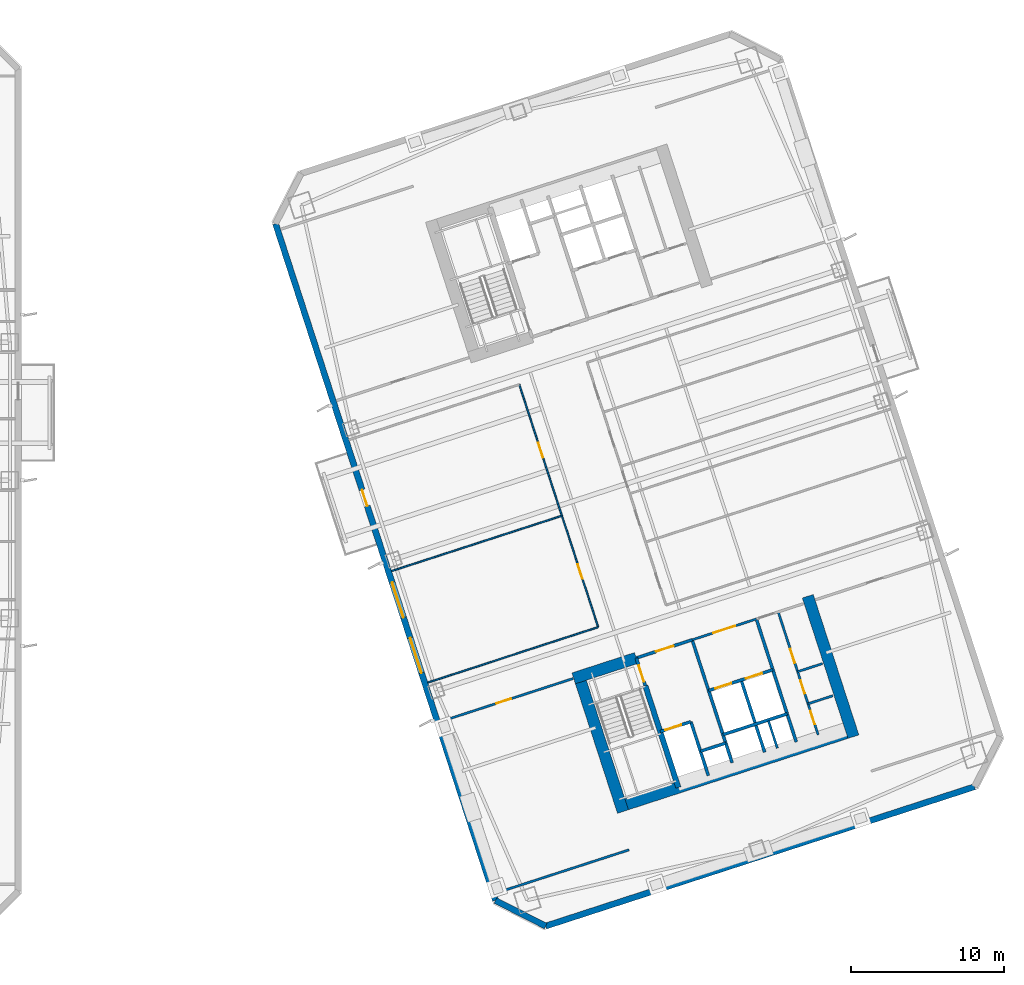
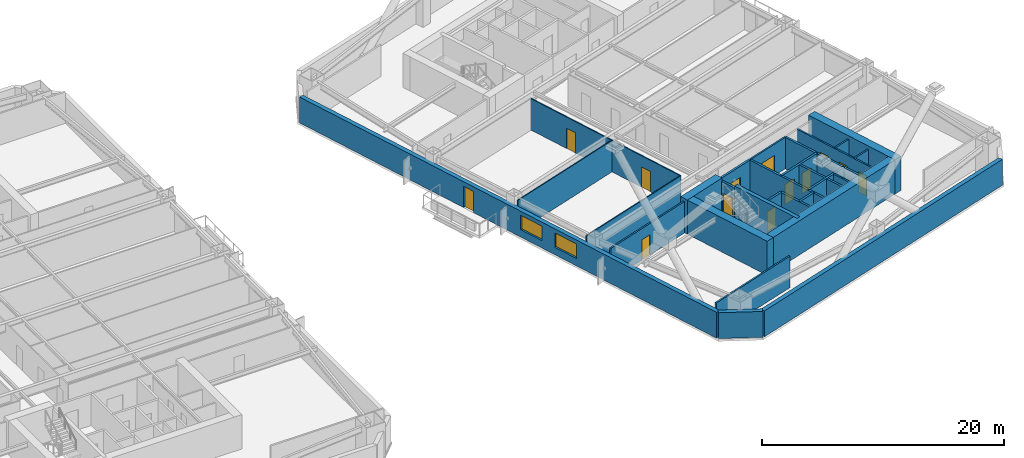
# One storey, part 9 of 19: 28 walls, 13 doors, 2 windows, 15 openings.
"""IFC4 building model written with IfcOpenShell, lengths in metres."""

from ifc_helpers import new_model, si_unit, direction, frame, frame_2d, origin, place, context, subcontext, project, spatial, rectangle, extrude, material, layer, layer_set, type_object, element, fill, save


model = new_model("IFC4")

# Units and contexts
model_context = context("Model", 3, precision=1e-05, world=origin(), true_north=direction((0.0, 1.0)))
body_context = subcontext(model_context, "Body", "Model", "MODEL_VIEW")
ifc_project = project(units=[si_unit("LENGTHUNIT", "METRE"), si_unit("AREAUNIT", "SQUARE_METRE"), si_unit("VOLUMEUNIT", "CUBIC_METRE"), si_unit("PLANEANGLEUNIT", "RADIAN"), si_unit("MASSUNIT", "GRAM", prefix="KILO")], contexts=[model_context])

# Site, building, storey
site_placement = place(None, origin())
site = spatial("IfcSite", under=ifc_project, at=site_placement, CompositionType="ELEMENT")
building_placement = place(site_placement, origin())
building = spatial("IfcBuilding", under=site, at=building_placement, Name="Qiaolan Cultural Towers", CompositionType="ELEMENT")
storey_placement = place(building_placement, frame((0.0, 0.0, 78.199951171875)))
storey = spatial("IfcBuildingStorey", under=building, at=storey_placement, Name="L19", CompositionType="ELEMENT", Elevation=78.199951171875)

# Walls
ifc_material_1 = material(Name="Concrete C50", Category="concrete")
ifc_layer_1 = layer(ifc_material_1, 0.35009765625)
ifc_layer_set_1 = layer_set([ifc_layer_1], Name="Concrete C50")
wall_type_1 = type_object("IfcWallType", Name="WL-CORE-350", PredefinedType="SHEAR", material=ifc_layer_set_1)
wall_1_placement = place(storey_placement, frame((90.486328125, 20.59423828125, 0.0), z_axis=(0.0, 0.0, 1.0), x_axis=(0.309020428229, -0.951055400562, 0.0)))
element("IfcWall", 1, at=wall_1_placement, inside=storey, type_object=wall_type_1, Name="L19 T2-CS Stair Core Dividing Web", PredefinedType="SHEAR", context=body_context, shape_type="SweptSolid", body=[
    extrude(rectangle(XDim=6.97998046875, YDim=0.35009765625, at=frame_2d((3.489990234375, 0.0))), origin(), (0.0, 0.0, 1.0), 3.449951171875),
])
ifc_material_2 = material(Name="Concrete C60", Category="concrete")
ifc_layer_2 = layer(ifc_material_2, 0.75)
ifc_layer_set_2 = layer_set([ifc_layer_2], Name="Concrete C60")
wall_type_2 = type_object("IfcWallType", Name="WL-CORE-750", PredefinedType="SHEAR", material=ifc_layer_set_2)
wall_2_placement = place(storey_placement, frame((88.55859375, 12.628662109375, 0.0), z_axis=(0.0, 0.0, 1.0), x_axis=(0.951056072937, 0.309018358888, 0.0)))
element("IfcWall", 2, at=wall_2_placement, inside=storey, type_object=wall_type_2, Name="L19 T2-CS Outer Core Shear Wall", PredefinedType="SHEAR", context=body_context, shape_type="SweptSolid", body=[
    extrude(rectangle(XDim=16.550048828125, YDim=0.75, at=frame_2d((8.27490234375, 0.0))), origin(), (0.0, 0.0, 1.0), 3.449951171875),
])
wall_3_placement = place(storey_placement, frame((86.05517578125, 21.54638671875, 0.0), z_axis=(0.0, 0.0, 1.0), x_axis=(0.309023585745, -0.951054374604, 0.0)))
element("IfcWall", 3, at=wall_3_placement, inside=storey, type_object=wall_type_2, Name="L19 T2-CS West Core Shear Wall", PredefinedType="SHEAR", context=body_context, shape_type="SweptSolid", body=[
    extrude(rectangle(XDim=9.6298828125, YDim=0.75, at=frame_2d((4.81494140625, 0.0))), origin(), (0.0, 0.0, 1.0), 3.449951171875),
])
wall_4_placement = place(storey_placement, frame((101.08203125, 26.428955078125, 0.0), z_axis=(0.0, 0.0, 1.0), x_axis=(0.309016134813, -0.951056795583, 0.0)))
element("IfcWall", 4, at=wall_4_placement, inside=storey, type_object=wall_type_2, Name="L19 T2-CS East Core Shear Wall", PredefinedType="SHEAR", context=body_context, shape_type="SweptSolid", body=[
    extrude(rectangle(XDim=9.630126953125, YDim=0.75, at=frame_2d((4.81494140625, 0.0))), origin(), (0.0, 0.0, 1.0), 3.449951171875),
])
wall_5_placement = place(storey_placement, frame((85.814453125, 21.073974609375, 0.0), z_axis=(0.0, 0.0, 1.0), x_axis=(0.95106580992, 0.308988390074, 0.0)))
element("IfcWall", 5, at=wall_5_placement, inside=storey, type_object=wall_type_2, Name="L19 T2-CS Stair Front Shear Wall", PredefinedType="SHEAR", context=body_context, shape_type="SweptSolid", body=[
    extrude(rectangle(XDim=4.295166015625, YDim=0.75, at=frame_2d((2.1474609375, 0.0))), origin(), (0.0, 0.0, 1.0), 3.449951171875),
])

# Wall, openings, door, windows
ifc_material_3 = material(Name="Precast Concrete C50 Honed Stone Pier", Category="masonry")
ifc_layer_3 = layer(ifc_material_3, 0.39990234375)
ifc_layer_set_3 = layer_set([ifc_layer_3], Name="Precast Concrete C50 Honed Stone Pier")
wall_type_3 = type_object("IfcWallType", Name="WL-EXT-PIER-400", PredefinedType="SOLIDWALL", material=ifc_layer_set_3)
wall_6_placement = place(storey_placement, frame((80.7158203125, 6.589599609375, 0.0), z_axis=(0.0, 0.0, 1.0), x_axis=(-0.309017542002, 0.95105633836, 0.0)))
wall_6 = element("IfcWall", 6, at=wall_6_placement, inside=storey, type_object=wall_type_3, Name="L19 East Tower Precast Pier Facade Wall F1", PredefinedType="SOLIDWALL", context=body_context, shape_type="SweptSolid", body=[
    extrude(rectangle(XDim=46.39990234375, YDim=0.39990234375, at=frame_2d((23.199951171875, 0.0))), origin(), (0.0, 0.0, 1.0), 2.610107421875),
])
opening_1_placement = place(wall_6_placement, frame((15.60009765625, 0.0, 0.75)))
opening_1 = element("IfcOpeningElement", 7, at=opening_1_placement, cuts=wall_6, Name="Opening W-02", PredefinedType="OPENING", context=body_context, shape_type="SweptSolid", body=[
    extrude(rectangle(XDim=2.39990234375, YDim=1.4599609375, at=frame_2d((1.199951171875, 0.72998046875))), frame((0.0, 0.2099609375, 0.0), z_axis=(0.0, -1.0, 0.0), x_axis=(1.0, 0.0, 0.0)), (0.0, 0.0, 1.0), 0.419921875),
])
opening_2_placement = place(wall_6_placement, frame((19.39990234375, 0.0, 0.75)))
opening_2 = element("IfcOpeningElement", 8, at=opening_2_placement, cuts=wall_6, Name="Opening W-02", PredefinedType="OPENING", context=body_context, shape_type="SweptSolid", body=[
    extrude(rectangle(XDim=2.39990234375, YDim=1.4599609375, at=frame_2d((1.199951171875, 0.72998046875))), frame((0.0, 0.2099609375, 0.0), z_axis=(0.0, -1.0, 0.0), x_axis=(1.0, 0.0, 0.0)), (0.0, 0.0, 1.0), 0.419921875),
])
opening_3_placement = place(wall_6_placement, frame((27.050048828125, 0.0, 0.0)))
opening_3 = element("IfcOpeningElement", 9, at=opening_3_placement, cuts=wall_6, Name="Opening BD-01", PredefinedType="OPENING", context=body_context, shape_type="SweptSolid", body=[
    extrude(rectangle(XDim=1.10009765625, YDim=2.14990234375, at=frame_2d((0.550048828125, 1.074951171875))), frame((0.0, 0.2099609375, 0.0), z_axis=(0.0, -1.0, 0.0), x_axis=(1.0, 0.0, 0.0)), (0.0, 0.0, 1.0), 0.419921875),
])
ifc_material_4 = material(Name="Thermally Broken Aluminium Glazed Terrace Door", Category="aluminium")
door_type_1 = type_object("IfcDoorType", Name="DR-BAL-1100", OperationType="NOTDEFINED", PredefinedType="DOOR", material=ifc_material_4)
door_1_placement = place(opening_3_placement, origin())
door_1 = element("IfcDoor", 10, at=door_1_placement, inside=storey, type_object=door_type_1, Name="L19 T2 West Tree Balcony Door", OperationType="SINGLE_SWING_LEFT", OverallHeight=2.14990234375, OverallWidth=1.10009765625, PredefinedType="DOOR", context=body_context, shape_type="SweptSolid", body=[
    extrude(rectangle(XDim=1.10009765625, YDim=2.14990234375, at=frame_2d((0.550048828125, 1.074951171875))), frame((0.0, 0.02490234375, 0.0), z_axis=(0.0, -1.0, 0.0), x_axis=(1.0, 0.0, 0.0)), (0.0, 0.0, 1.0), 0.050048828125),
])
fill(opening_3, door_1)
ifc_material_5 = material(Name="Thermally Broken Aluminium Triple Low-E Glazing", Category="aluminium")
window_type = type_object("IfcWindowType", Name="WN-CHIC-2400", PartitioningType="SINGLE_PANEL", PredefinedType="WINDOW", material=ifc_material_5)
window_1_placement = place(opening_1_placement, origin())
window_1 = element("IfcWindow", 11, at=window_1_placement, inside=storey, type_object=window_type, Name="L19 T2 W Chicago Bay Window 1", OverallHeight=1.4599609375, OverallWidth=2.39990234375, PartitioningType="TRIPLE_PANEL_VERTICAL", PredefinedType="WINDOW", context=body_context, shape_type="SweptSolid", body=[
    extrude(rectangle(XDim=2.39990234375, YDim=1.4599609375, at=frame_2d((1.199951171875, 0.72998046875))), frame((0.0, 0.030029296875, 0.0), z_axis=(0.0, -1.0, 0.0), x_axis=(1.0, 0.0, 0.0)), (0.0, 0.0, 1.0), 0.06005859375),
])
fill(opening_1, window_1)
window_2_placement = place(opening_2_placement, origin())
window_2 = element("IfcWindow", 12, at=window_2_placement, inside=storey, type_object=window_type, Name="L19 T2 W Chicago Bay Window 2", OverallHeight=1.4599609375, OverallWidth=2.39990234375, PartitioningType="TRIPLE_PANEL_VERTICAL", PredefinedType="WINDOW", context=body_context, shape_type="SweptSolid", body=[
    extrude(rectangle(XDim=2.39990234375, YDim=1.4599609375, at=frame_2d((1.199951171875, 0.72998046875))), frame((0.0, 0.030029296875, 0.0), z_axis=(0.0, -1.0, 0.0), x_axis=(1.0, 0.0, 0.0)), (0.0, 0.0, 1.0), 0.06005859375),
])
fill(opening_2, window_2)

# Walls
wall_7_placement = place(storey_placement, frame((111.953125, 14.00537109375, 0.0), z_axis=(0.0, 0.0, 1.0), x_axis=(-0.95105505922, -0.309021478754, 0.0)))
element("IfcWall", 13, at=wall_7_placement, inside=storey, type_object=wall_type_3, Name="L19 East Tower Precast Pier Facade Wall F7", PredefinedType="SOLIDWALL", context=body_context, shape_type="SweptSolid", body=[
    extrude(rectangle(XDim=29.39990234375, YDim=0.39990234375, at=frame_2d((14.699951171875, 0.0))), origin(), (0.0, 0.0, 1.0), 2.610107421875),
])
wall_8_placement = place(storey_placement, frame((83.9921875, 4.920166015625, 0.0), z_axis=(0.0, 0.0, 1.0), x_axis=(-0.891001999643, 0.45399937955, 0.0)))
element("IfcWall", 14, at=wall_8_placement, inside=storey, type_object=wall_type_3, Name="L19 East Tower Precast Pier Facade Wall F8", PredefinedType="SOLIDWALL", context=body_context, shape_type="SweptSolid", body=[
    extrude(rectangle(XDim=3.67724609375, YDim=0.39990234375, at=frame_2d((1.838623046875, 0.0))), origin(), (0.0, 0.0, 1.0), 2.610107421875),
])

# Wall, opening, door
ifc_material_6 = material(Name="Concrete C35 Fire Wall", Category="concrete")
ifc_layer_4 = layer(ifc_material_6, 0.199951171875)
ifc_layer_set_4 = layer_set([ifc_layer_4], Name="Concrete C35 Fire Wall")
wall_type_4 = type_object("IfcWallType", Name="WL-FIRE-200", PredefinedType="PARTITIONING", material=ifc_layer_set_4)
wall_9_placement = place(storey_placement, frame((89.8994140625, 22.401123046875, 0.0), z_axis=(0.0, 0.0, 1.0), x_axis=(0.308932062672, -0.951084108086, 0.0)))
wall_9 = element("IfcWall", 15, at=wall_9_placement, inside=storey, type_object=wall_type_4, Name="L19 T2-CS Smokeproof Stair Entry Wall", PredefinedType="PARTITIONING", context=body_context, shape_type="SweptSolid", body=[
    extrude(rectangle(XDim=1.89990234375, YDim=0.199951171875, at=frame_2d((0.949951171875, 0.0))), origin(), (0.0, 0.0, 1.0), 3.175048828125),
])
opening_4_placement = place(wall_9_placement, frame((0.52001953125, 0.0, 0.0)))
opening_4 = element("IfcOpeningElement", 16, at=opening_4_placement, cuts=wall_9, Name="Opening FD-04", PredefinedType="OPENING", context=body_context, shape_type="SweptSolid", body=[
    extrude(rectangle(XDim=1.10009765625, YDim=2.050048828125, at=frame_2d((0.550048828125, 1.02490234375))), frame((0.0, 0.10986328125, 0.0), z_axis=(0.0, -1.0, 0.0), x_axis=(1.0, 0.0, 0.0)), (0.0, 0.0, 1.0), 0.219970703125),
])
ifc_material_7 = material(Name="Galvanized Steel Command Fire Door", Category="steel")
door_type_2 = type_object("IfcDoorType", Name="DR-FD90-1100", OperationType="NOTDEFINED", PredefinedType="DOOR", material=ifc_material_7)
door_2_placement = place(opening_4_placement, origin())
door_2 = element("IfcDoor", 17, at=door_2_placement, inside=storey, type_object=door_type_2, Name="L19 ST-E1 Smokeproof Stair Fire Door", OperationType="SINGLE_SWING_LEFT", OverallHeight=2.050048828125, OverallWidth=1.10009765625, PredefinedType="DOOR", context=body_context, shape_type="SweptSolid", body=[
    extrude(rectangle(XDim=1.10009765625, YDim=2.050048828125, at=frame_2d((0.550048828125, 1.02490234375))), frame((0.0, 0.02490234375, 0.0), z_axis=(0.0, -1.0, 0.0), x_axis=(1.0, 0.0, 0.0)), (0.0, 0.0, 1.0), 0.050048828125),
])
fill(opening_4, door_2)

# Wall
wall_10_placement = place(storey_placement, frame((93.541748046875, 23.584716796875, 0.0), z_axis=(0.0, 0.0, 1.0), x_axis=(0.309042196757, -0.951048327176, 0.0)))
element("IfcWall", 18, at=wall_10_placement, inside=storey, type_object=wall_type_4, Name="L19 T2-CS Firefighting Zone Wall", PredefinedType="PARTITIONING", context=body_context, shape_type="SweptSolid", body=[
    extrude(rectangle(XDim=8.429931640625, YDim=0.199951171875, at=frame_2d((4.21484375, 0.0))), origin(), (0.0, 0.0, 1.0), 3.175048828125),
])

# Wall, opening, door
wall_11_placement = place(storey_placement, frame((89.8994140625, 22.401123046875, 0.0), z_axis=(0.0, 0.0, 1.0), x_axis=(0.951046716504, 0.309047153403, 0.0)))
wall_11 = element("IfcWall", 19, at=wall_11_placement, inside=storey, type_object=wall_type_4, Name="L19 T2-CS Firefighting Lobby Front Wall", PredefinedType="PARTITIONING", context=body_context, shape_type="SweptSolid", body=[
    extrude(rectangle(XDim=3.829833984375, YDim=0.199951171875, at=frame_2d((1.9150390625, 0.0))), origin(), (0.0, 0.0, 1.0), 3.175048828125),
])
opening_5_placement = place(wall_11_placement, frame((1.35009765625, 0.0, 0.0)))
opening_5 = element("IfcOpeningElement", 20, at=opening_5_placement, cuts=wall_11, Name="Opening FD-03", PredefinedType="OPENING", context=body_context, shape_type="SweptSolid", body=[
    extrude(rectangle(XDim=1.199951171875, YDim=2.050048828125, at=frame_2d((0.60009765625, 1.02490234375))), frame((0.0, 0.10986328125, 0.0), z_axis=(0.0, -1.0, 0.0), x_axis=(1.0, 0.0, 0.0)), (0.0, 0.0, 1.0), 0.219970703125),
])
ifc_material_8 = material(Name="Galvanized Steel Smokeproof Lobby Fire Door", Category="steel")
door_type_3 = type_object("IfcDoorType", Name="DR-FD90-1200", OperationType="NOTDEFINED", PredefinedType="DOOR", material=ifc_material_8)
door_3_placement = place(opening_5_placement, origin())
door_3 = element("IfcDoor", 21, at=door_3_placement, inside=storey, type_object=door_type_3, Name="L19 FFL-E1 Firefighting Lobby Fire Door", OperationType="SINGLE_SWING_LEFT", OverallHeight=2.050048828125, OverallWidth=1.199951171875, PredefinedType="DOOR", context=body_context, shape_type="SweptSolid", body=[
    extrude(rectangle(XDim=1.199951171875, YDim=2.050048828125, at=frame_2d((0.60009765625, 1.02490234375))), frame((0.0, 0.02490234375, 0.0), z_axis=(0.0, -1.0, 0.0), x_axis=(1.0, 0.0, 0.0)), (0.0, 0.0, 1.0), 0.050048828125),
])
fill(opening_5, door_3)

wall_12_placement = place(storey_placement, frame((91.459716796875, 17.598388671875, 0.0), z_axis=(0.0, 0.0, 1.0), x_axis=(0.951062257173, 0.308999325213, 0.0)))
wall_12 = element("IfcWall", 22, at=wall_12_placement, inside=storey, type_object=wall_type_4, Name="L19 T2-CS Firefighting Shaft Front Wall", PredefinedType="PARTITIONING", context=body_context, shape_type="SweptSolid", body=[
    extrude(rectangle(XDim=2.10009765625, YDim=0.199951171875, at=frame_2d((1.050048828125, 0.0))), origin(), (0.0, 0.0, 1.0), 3.175048828125),
])
opening_6_placement = place(wall_12_placement, frame((0.35009765625, 0.0, 0.0)))
opening_6 = element("IfcOpeningElement", 23, at=opening_6_placement, cuts=wall_12, Name="Opening LD-01", PredefinedType="OPENING", context=body_context, shape_type="SweptSolid", body=[
    extrude(rectangle(XDim=1.10009765625, YDim=2.050048828125, at=frame_2d((0.550048828125, 1.02490234375))), frame((0.0, 0.10986328125, 0.0), z_axis=(0.0, -1.0, 0.0), x_axis=(1.0, 0.0, 0.0)), (0.0, 0.0, 1.0), 0.219970703125),
])
ifc_material_9 = material(Name="Brushed Stainless Steel S30408 Centre-Parting Lift Landing Door", Category="steel")
door_type_4 = type_object("IfcDoorType", Name="DR-LIFT-1100", OperationType="NOTDEFINED", PredefinedType="DOOR", material=ifc_material_9)
door_4_placement = place(opening_6_placement, origin())
door_4 = element("IfcDoor", 24, at=door_4_placement, inside=storey, type_object=door_type_4, Name="L19 FFL-E1 Firefighting Lift Landing Door", OperationType="DOUBLE_DOOR_SLIDING", OverallHeight=2.050048828125, OverallWidth=1.10009765625, PredefinedType="DOOR", context=body_context, shape_type="SweptSolid", body=[
    extrude(rectangle(XDim=1.10009765625, YDim=2.050048828125, at=frame_2d((0.550048828125, 1.02490234375))), frame((0.0, 0.02490234375, 0.0), z_axis=(0.0, -1.0, 0.0), x_axis=(1.0, 0.0, 0.0)), (0.0, 0.0, 1.0), 0.050048828125),
])
fill(opening_6, door_4)

# Walls
wall_13_placement = place(storey_placement, frame((93.45703125, 18.247314453125, 0.0), z_axis=(0.0, 0.0, 1.0), x_axis=(0.3089935693, -0.951064127245, 0.0)))
element("IfcWall", 25, at=wall_13_placement, inside=storey, type_object=wall_type_4, Name="L19 T2-CS Firefighting Hoistway East Wall", PredefinedType="PARTITIONING", context=body_context, shape_type="SweptSolid", body=[
    extrude(rectangle(XDim=3.7001953125, YDim=0.199951171875, at=frame_2d((1.85009765625, 0.0))), origin(), (0.0, 0.0, 1.0), 3.175048828125),
])
wall_14_placement = place(storey_placement, frame((94.08447265625, 16.316650390625, 0.0), z_axis=(0.0, 0.0, 1.0), x_axis=(0.951041328149, 0.309063734775, 0.0)))
element("IfcWall", 26, at=wall_14_placement, inside=storey, type_object=wall_type_4, Name="L19 T2-CS Pressurization Shaft Front Wall", PredefinedType="PARTITIONING", context=body_context, shape_type="SweptSolid", body=[
    extrude(rectangle(XDim=1.72998046875, YDim=0.199951171875, at=frame_2d((0.864990234375, 0.0))), origin(), (0.0, 0.0, 1.0), 3.175048828125),
])
wall_15_placement = place(storey_placement, frame((97.7265625, 24.9443359375, 0.0), z_axis=(0.0, 0.0, 1.0), x_axis=(0.309016001439, -0.951056838919, 0.0)))
element("IfcWall", 27, at=wall_15_placement, inside=storey, type_object=wall_type_4, Name="L19 T2-CS Lift Core East Wall", PredefinedType="PARTITIONING", context=body_context, shape_type="SweptSolid", body=[
    extrude(rectangle(XDim=8.429931640625, YDim=0.199951171875, at=frame_2d((4.21484375, 0.0))), origin(), (0.0, 0.0, 1.0), 3.175048828125),
])

# Wall, openings, doors
wall_16_placement = place(storey_placement, frame((94.6171875, 20.275146484375, 0.0), z_axis=(0.0, 0.0, 1.0), x_axis=(0.951058531764, 0.30901079133, 0.0)))
wall_16 = element("IfcWall", 28, at=wall_16_placement, inside=storey, type_object=wall_type_4, Name="L19 T2-CS Passenger Lift Shaft Front Wall", PredefinedType="PARTITIONING", context=body_context, shape_type="SweptSolid", body=[
    extrude(rectangle(XDim=4.39990234375, YDim=0.199951171875, at=frame_2d((2.199951171875, 0.0))), origin(), (0.0, 0.0, 1.0), 3.175048828125),
])
opening_7_placement = place(wall_16_placement, frame((0.449951171875, 0.0, 0.0)))
opening_7 = element("IfcOpeningElement", 29, at=opening_7_placement, cuts=wall_16, Name="Opening LD-01", PredefinedType="OPENING", context=body_context, shape_type="SweptSolid", body=[
    extrude(rectangle(XDim=1.10009765625, YDim=2.050048828125, at=frame_2d((0.550048828125, 1.02490234375))), frame((0.0, 0.10986328125, 0.0), z_axis=(0.0, -1.0, 0.0), x_axis=(1.0, 0.0, 0.0)), (0.0, 0.0, 1.0), 0.219970703125),
])
opening_8_placement = place(wall_16_placement, frame((2.550048828125, 0.0, 0.0)))
opening_8 = element("IfcOpeningElement", 30, at=opening_8_placement, cuts=wall_16, Name="Opening LD-01", PredefinedType="OPENING", context=body_context, shape_type="SweptSolid", body=[
    extrude(rectangle(XDim=1.10009765625, YDim=2.050048828125, at=frame_2d((0.550048828125, 1.02490234375))), frame((0.0, 0.10986328125, 0.0), z_axis=(0.0, -1.0, 0.0), x_axis=(1.0, 0.0, 0.0)), (0.0, 0.0, 1.0), 0.219970703125),
])
door_5_placement = place(opening_7_placement, origin())
door_5 = element("IfcDoor", 31, at=door_5_placement, inside=storey, type_object=door_type_4, Name="L19 Passenger Lift 1 Landing Door", OperationType="DOUBLE_DOOR_SLIDING", OverallHeight=2.050048828125, OverallWidth=1.10009765625, PredefinedType="DOOR", context=body_context, shape_type="SweptSolid", body=[
    extrude(rectangle(XDim=1.10009765625, YDim=2.050048828125, at=frame_2d((0.550048828125, 1.02490234375))), frame((0.0, 0.02490234375, 0.0), z_axis=(0.0, -1.0, 0.0), x_axis=(1.0, 0.0, 0.0)), (0.0, 0.0, 1.0), 0.050048828125),
])
fill(opening_7, door_5)
door_6_placement = place(opening_8_placement, origin())
door_6 = element("IfcDoor", 32, at=door_6_placement, inside=storey, type_object=door_type_4, Name="L19 Passenger Lift 2 Landing Door", OperationType="DOUBLE_DOOR_SLIDING", OverallHeight=2.050048828125, OverallWidth=1.10009765625, PredefinedType="DOOR", context=body_context, shape_type="SweptSolid", body=[
    extrude(rectangle(XDim=1.10009765625, YDim=2.050048828125, at=frame_2d((0.550048828125, 1.02490234375))), frame((0.0, 0.02490234375, 0.0), z_axis=(0.0, -1.0, 0.0), x_axis=(1.0, 0.0, 0.0)), (0.0, 0.0, 1.0), 0.050048828125),
])
fill(opening_8, door_6)

# Walls
wall_17_placement = place(storey_placement, frame((96.738037109375, 20.964111328125, 0.0), z_axis=(0.0, 0.0, 1.0), x_axis=(0.309042578481, -0.951048203135, 0.0)))
element("IfcWall", 33, at=wall_17_placement, inside=storey, type_object=wall_type_4, Name="L19 T2-CS Lift Shaft Divider Wall", PredefinedType="PARTITIONING", context=body_context, shape_type="SweptSolid", body=[
    extrude(rectangle(XDim=4.9501953125, YDim=0.199951171875, at=frame_2d((2.47509765625, 0.0))), origin(), (0.0, 0.0, 1.0), 3.175048828125),
])
wall_18_placement = place(storey_placement, frame((95.550537109375, 17.40283203125, 0.0), z_axis=(0.0, 0.0, 1.0), x_axis=(0.951058531764, 0.30901079133, 0.0)))
element("IfcWall", 34, at=wall_18_placement, inside=storey, type_object=wall_type_4, Name="L19 T2-CS Passenger Lift Shaft Back Wall", PredefinedType="PARTITIONING", context=body_context, shape_type="SweptSolid", body=[
    extrude(rectangle(XDim=4.39990234375, YDim=0.199951171875, at=frame_2d((2.199951171875, 0.0))), origin(), (0.0, 0.0, 1.0), 3.175048828125),
])
ifc_material_10 = material(Name="Acoustic Double-Glazed Partition Frame", Category="glass")
ifc_layer_5 = layer(ifc_material_10, 0.10009765625)
ifc_layer_set_5 = layer_set([ifc_layer_5], Name="Acoustic Double-Glazed Partition Frame")
wall_type_5 = type_object("IfcWallType", Name="WL-GLAZED-100", PredefinedType="MOVABLE", material=ifc_layer_set_5)
wall_19_placement = place(storey_placement, frame((76.307861328125, 20.802978515625, 0.0), z_axis=(0.0, 0.0, 1.0), x_axis=(0.951054504848, 0.309023184905, 0.0)))
element("IfcWall", 35, at=wall_19_placement, inside=storey, type_object=wall_type_5, Name="L19 T2 South Corridor Left Wall", PredefinedType="MOVABLE", context=body_context, shape_type="SweptSolid", body=[
    extrude(rectangle(XDim=11.67529296875, YDim=0.10009765625, at=frame_2d((5.837646484375, 0.0))), origin(), (0.0, 0.0, 1.0), 3.175048828125),
])

# Wall, openings, doors
wall_20_placement = place(storey_placement, frame((87.41162109375, 24.410888671875, 0.0), z_axis=(0.0, 0.0, 1.0), x_axis=(-0.309022042254, 0.951054876125, 0.0)))
wall_20 = element("IfcWall", 36, at=wall_20_placement, inside=storey, type_object=wall_type_5, Name="L19 T2 West Spine Wall", PredefinedType="MOVABLE", context=body_context, shape_type="SweptSolid", body=[
    extrude(rectangle(XDim=16.639892578125, YDim=0.10009765625, at=frame_2d((8.31982421875, 0.0))), origin(), (0.0, 0.0, 1.0), 3.175048828125),
])
opening_9_placement = place(wall_20_placement, frame((3.320068359375, 0.0, 0.0)))
opening_9 = element("IfcOpeningElement", 37, at=opening_9_placement, cuts=wall_20, Name="Opening ID-04", PredefinedType="OPENING", context=body_context, shape_type="SweptSolid", body=[
    extrude(rectangle(XDim=1.0, YDim=2.050048828125, at=frame_2d((0.5, 1.02490234375))), frame((0.0, 0.06005859375, 0.0), z_axis=(0.0, -1.0, 0.0), x_axis=(1.0, 0.0, 0.0)), (0.0, 0.0, 1.0), 0.1201171875),
])
opening_10_placement = place(wall_20_placement, frame((11.639892578125, 0.0, 0.0)))
opening_10 = element("IfcOpeningElement", 38, at=opening_10_placement, cuts=wall_20, Name="Opening ID-04", PredefinedType="OPENING", context=body_context, shape_type="SweptSolid", body=[
    extrude(rectangle(XDim=1.0, YDim=2.050048828125, at=frame_2d((0.5, 1.02490234375))), frame((0.0, 0.06005859375, 0.0), z_axis=(0.0, -1.0, 0.0), x_axis=(1.0, 0.0, 0.0)), (0.0, 0.0, 1.0), 0.1201171875),
])
ifc_material_11 = material(Name="Oak Veneer Acoustic Office Door", Category="timber")
door_type_5 = type_object("IfcDoorType", Name="DR-INT-1000", OperationType="NOTDEFINED", PredefinedType="DOOR", material=ifc_material_11)
door_7_placement = place(opening_9_placement, origin())
door_7 = element("IfcDoor", 39, at=door_7_placement, inside=storey, type_object=door_type_5, Name="L19 T2 Open Design Atelier Door", OperationType="SINGLE_SWING_LEFT", OverallHeight=2.050048828125, OverallWidth=1.0, PredefinedType="DOOR", context=body_context, shape_type="SweptSolid", body=[
    extrude(rectangle(XDim=1.0, YDim=2.050048828125, at=frame_2d((0.5, 1.02490234375))), frame((0.0, 0.02490234375, 0.0), z_axis=(0.0, -1.0, 0.0), x_axis=(1.0, 0.0, 0.0)), (0.0, 0.0, 1.0), 0.050048828125),
])
fill(opening_9, door_7)
door_8_placement = place(opening_10_placement, origin())
door_8 = element("IfcDoor", 40, at=door_8_placement, inside=storey, type_object=door_type_5, Name="L19 T2 Cultural Media Hall Door", OperationType="SINGLE_SWING_RIGHT", OverallHeight=2.050048828125, OverallWidth=1.0, PredefinedType="DOOR", context=body_context, shape_type="SweptSolid", body=[
    extrude(rectangle(XDim=1.0, YDim=2.050048828125, at=frame_2d((0.5, 1.02490234375))), frame((0.0, 0.02490234375, 0.0), z_axis=(0.0, -1.0, 0.0), x_axis=(1.0, 0.0, 0.0)), (0.0, 0.0, 1.0), 0.050048828125),
])
fill(opening_10, door_8)

# Wall
wall_21_placement = place(storey_placement, frame((73.947021484375, 28.069091796875, 0.0), z_axis=(0.0, 0.0, 1.0), x_axis=(0.951058653673, 0.309010416124, 0.0)))
element("IfcWall", 41, at=wall_21_placement, inside=storey, type_object=wall_type_5, Name="L19 T2 West Partition 1", PredefinedType="MOVABLE", context=body_context, shape_type="SweptSolid", body=[
    extrude(rectangle(XDim=11.6748046875, YDim=0.10009765625, at=frame_2d((5.83740234375, 0.0))), origin(), (0.0, 0.0, 1.0), 3.175048828125),
])

# Wall, opening, door
ifc_material_12 = material(Name="Autoclaved Aerated Concrete Block B06", Category="concrete")
ifc_layer_6 = layer(ifc_material_12, 0.14990234375)
ifc_layer_set_6 = layer_set([ifc_layer_6], Name="Autoclaved Aerated Concrete Block B06")
wall_type_6 = type_object("IfcWallType", Name="WL-PART-150", PredefinedType="PARTITIONING", material=ifc_layer_set_6)
wall_22_placement = place(storey_placement, frame((93.541748046875, 23.584716796875, 0.0), z_axis=(0.0, 0.0, 1.0), x_axis=(0.951063829732, 0.308994485023, 0.0)))
wall_22 = element("IfcWall", 42, at=wall_22_placement, inside=storey, type_object=wall_type_6, Name="L19 T2-CS Passenger Lift Lobby Front Wall", PredefinedType="PARTITIONING", context=body_context, shape_type="SweptSolid", body=[
    extrude(rectangle(XDim=4.400146484375, YDim=0.14990234375, at=frame_2d((2.2001953125, 0.0))), origin(), (0.0, 0.0, 1.0), 3.175048828125),
])
opening_11_placement = place(wall_22_placement, frame((1.449951171875, 0.0, 0.0)))
opening_11 = element("IfcOpeningElement", 43, at=opening_11_placement, cuts=wall_22, Name="Opening FD-05", PredefinedType="OPENING", context=body_context, shape_type="SweptSolid", body=[
    extrude(rectangle(XDim=1.5, YDim=2.050048828125, at=frame_2d((0.75, 1.02490234375))), frame((0.0, 0.0849609375, 0.0), z_axis=(0.0, -1.0, 0.0), x_axis=(1.0, 0.0, 0.0)), (0.0, 0.0, 1.0), 0.169921875),
])
ifc_material_13 = material(Name="Painted Steel Lift Lobby Fire Door", Category="steel")
door_type_6 = type_object("IfcDoorType", Name="DR-FD60-1500", OperationType="NOTDEFINED", PredefinedType="DOOR", material=ifc_material_13)
door_9_placement = place(opening_11_placement, origin())
door_9 = element("IfcDoor", 44, at=door_9_placement, inside=storey, type_object=door_type_6, Name="L19 Passenger Lift Lobby Entrance", OperationType="SINGLE_SWING_LEFT", OverallHeight=2.050048828125, OverallWidth=1.5, PredefinedType="DOOR", context=body_context, shape_type="SweptSolid", body=[
    extrude(rectangle(XDim=1.5, YDim=2.050048828125, at=frame_2d((0.75, 1.02490234375))), frame((0.0, 0.02490234375, 0.0), z_axis=(0.0, -1.0, 0.0), x_axis=(1.0, 0.0, 0.0)), (0.0, 0.0, 1.0), 0.050048828125),
])
fill(opening_11, door_9)

# Wall
wall_23_placement = place(storey_placement, frame((98.51416015625, 18.313232421875, 0.0), z_axis=(0.0, 0.0, 1.0), x_axis=(0.309089008895, -0.951033114345, 0.0)))
element("IfcWall", 45, at=wall_23_placement, inside=storey, type_object=wall_type_6, Name="L19 T2-CS Core Rear Asymmetric Wall", PredefinedType="PARTITIONING", context=body_context, shape_type="SweptSolid", body=[
    extrude(rectangle(XDim=1.8798828125, YDim=0.14990234375, at=frame_2d((0.93994140625, 0.0))), origin(), (0.0, 0.0, 1.0), 3.175048828125),
])

# Wall, openings, doors
wall_24_placement = place(storey_placement, frame((99.153076171875, 25.407958984375, 0.0), z_axis=(0.0, 0.0, 1.0), x_axis=(0.309016001439, -0.951056838919, 0.0)))
wall_24 = element("IfcWall", 46, at=wall_24_placement, inside=storey, type_object=wall_type_6, Name="L19 T2-CS Sanitary Vestibule Wall", PredefinedType="PARTITIONING", context=body_context, shape_type="SweptSolid", body=[
    extrude(rectangle(XDim=8.429931640625, YDim=0.14990234375, at=frame_2d((4.21484375, 0.0))), origin(), (0.0, 0.0, 1.0), 3.175048828125),
])
opening_12_placement = place(wall_24_placement, frame((2.550048828125, 0.0, 0.0)))
opening_12 = element("IfcOpeningElement", 47, at=opening_12_placement, cuts=wall_24, Name="Opening ID-05", PredefinedType="OPENING", context=body_context, shape_type="SweptSolid", body=[
    extrude(rectangle(XDim=0.949951171875, YDim=2.050048828125, at=frame_2d((0.47509765625, 1.02490234375))), frame((0.0, 0.0849609375, 0.0), z_axis=(0.0, -1.0, 0.0), x_axis=(1.0, 0.0, 0.0)), (0.0, 0.0, 1.0), 0.169921875),
])
opening_13_placement = place(wall_24_placement, frame((4.699951171875, 0.0, 0.0)))
opening_13 = element("IfcOpeningElement", 48, at=opening_13_placement, cuts=wall_24, Name="Opening ID-06", PredefinedType="OPENING", context=body_context, shape_type="SweptSolid", body=[
    extrude(rectangle(XDim=0.89990234375, YDim=2.050048828125, at=frame_2d((0.449951171875, 1.02490234375))), frame((0.0, 0.0849609375, 0.0), z_axis=(0.0, -1.0, 0.0), x_axis=(1.0, 0.0, 0.0)), (0.0, 0.0, 1.0), 0.169921875),
])
opening_14_placement = place(wall_24_placement, frame((6.800048828125, 0.0, 0.0)))
opening_14 = element("IfcOpeningElement", 49, at=opening_14_placement, cuts=wall_24, Name="Opening ID-06", PredefinedType="OPENING", context=body_context, shape_type="SweptSolid", body=[
    extrude(rectangle(XDim=0.89990234375, YDim=2.050048828125, at=frame_2d((0.449951171875, 1.02490234375))), frame((0.0, 0.0849609375, 0.0), z_axis=(0.0, -1.0, 0.0), x_axis=(1.0, 0.0, 0.0)), (0.0, 0.0, 1.0), 0.169921875),
])
ifc_material_14 = material(Name="Fire-Rated Laminate Core Service Door", Category="timber")
door_type_7 = type_object("IfcDoorType", Name="DR-INT-900", OperationType="NOTDEFINED", PredefinedType="DOOR", material=ifc_material_14)
door_10_placement = place(opening_13_placement, origin())
door_10 = element("IfcDoor", 50, at=door_10_placement, inside=storey, type_object=door_type_7, Name="L19 Men Washroom Door", OperationType="SINGLE_SWING_LEFT", OverallHeight=2.050048828125, OverallWidth=0.89990234375, PredefinedType="DOOR", context=body_context, shape_type="SweptSolid", body=[
    extrude(rectangle(XDim=0.89990234375, YDim=2.050048828125, at=frame_2d((0.449951171875, 1.02490234375))), frame((0.0, 0.02490234375, 0.0), z_axis=(0.0, -1.0, 0.0), x_axis=(1.0, 0.0, 0.0)), (0.0, 0.0, 1.0), 0.050048828125),
])
fill(opening_13, door_10)
door_11_placement = place(opening_14_placement, origin())
door_11 = element("IfcDoor", 51, at=door_11_placement, inside=storey, type_object=door_type_7, Name="L19 Women Washroom Door", OperationType="SINGLE_SWING_RIGHT", OverallHeight=2.050048828125, OverallWidth=0.89990234375, PredefinedType="DOOR", context=body_context, shape_type="SweptSolid", body=[
    extrude(rectangle(XDim=0.89990234375, YDim=2.050048828125, at=frame_2d((0.449951171875, 1.02490234375))), frame((0.0, 0.02490234375, 0.0), z_axis=(0.0, -1.0, 0.0), x_axis=(1.0, 0.0, 0.0)), (0.0, 0.0, 1.0), 0.050048828125),
])
fill(opening_14, door_11)
ifc_material_15 = material(Name="Fire-Rated Laminate Accessible Core Door", Category="timber")
door_type_8 = type_object("IfcDoorType", Name="DR-INT-950", OperationType="NOTDEFINED", PredefinedType="DOOR", material=ifc_material_15)
door_12_placement = place(opening_12_placement, origin())
door_12 = element("IfcDoor", 52, at=door_12_placement, inside=storey, type_object=door_type_8, Name="L19 Accessible Family Washroom Door", OperationType="SINGLE_SWING_LEFT", OverallHeight=2.050048828125, OverallWidth=0.949951171875, PredefinedType="DOOR", context=body_context, shape_type="SweptSolid", body=[
    extrude(rectangle(XDim=0.949951171875, YDim=2.050048828125, at=frame_2d((0.47509765625, 1.02490234375))), frame((0.0, 0.02490234375, 0.0), z_axis=(0.0, -1.0, 0.0), x_axis=(1.0, 0.0, 0.0)), (0.0, 0.0, 1.0), 0.050048828125),
])
fill(opening_12, door_12)

# Walls
wall_25_placement = place(storey_placement, frame((100.420166015625, 21.508544921875, 0.0), z_axis=(0.0, 0.0, 1.0), x_axis=(0.951040401051, 0.309066587596, 0.0)))
element("IfcWall", 53, at=wall_25_placement, inside=storey, type_object=wall_type_6, Name="L19 T2-CS Restroom Split Wall 1", PredefinedType="PARTITIONING", context=body_context, shape_type="SweptSolid", body=[
    extrude(rectangle(XDim=1.699951171875, YDim=0.14990234375, at=frame_2d((0.85009765625, 0.0))), origin(), (0.0, 0.0, 1.0), 3.175048828125),
])
wall_26_placement = place(storey_placement, frame((101.099853515625, 19.416259765625, 0.0), z_axis=(0.0, 0.0, 1.0), x_axis=(0.951054116971, 0.309024378638, 0.0)))
element("IfcWall", 54, at=wall_26_placement, inside=storey, type_object=wall_type_6, Name="L19 T2-CS Restroom Split Wall 2", PredefinedType="PARTITIONING", context=body_context, shape_type="SweptSolid", body=[
    extrude(rectangle(XDim=1.7001953125, YDim=0.14990234375, at=frame_2d((0.85009765625, 0.0))), origin(), (0.0, 0.0, 1.0), 3.175048828125),
])
wall_27_placement = place(storey_placement, frame((80.76708984375, 7.079345703125, 0.0), z_axis=(0.0, 0.0, 1.0), x_axis=(0.951057133767, 0.309015093986, 0.0)))
element("IfcWall", 55, at=wall_27_placement, inside=storey, type_object=wall_type_6, Name="L19 T2 Flank Wall FLK-SW", PredefinedType="PARTITIONING", context=body_context, shape_type="SweptSolid", body=[
    extrude(rectangle(XDim=9.099853515625, YDim=0.14990234375, at=frame_2d((4.5498046875, 0.0))), origin(), (0.0, 0.0, 1.0), 3.175048828125),
])

# Wall, opening, door
wall_28_placement = place(storey_placement, frame((77.13623046875, 18.254150390625, 0.0), z_axis=(0.0, 0.0, 1.0), x_axis=(0.951057133767, 0.309015093986, 0.0)))
wall_28 = element("IfcWall", 56, at=wall_28_placement, inside=storey, type_object=wall_type_6, Name="L19 T2 Flank Front FLK-SW", PredefinedType="PARTITIONING", context=body_context, shape_type="SweptSolid", body=[
    extrude(rectangle(XDim=9.099853515625, YDim=0.14990234375, at=frame_2d((4.5498046875, 0.0))), origin(), (0.0, 0.0, 1.0), 3.175048828125),
])
opening_15_placement = place(wall_28_placement, frame((3.822021484375, 0.0, 0.0)))
opening_15 = element("IfcOpeningElement", 57, at=opening_15_placement, cuts=wall_28, Name="Opening ID-04", PredefinedType="OPENING", context=body_context, shape_type="SweptSolid", body=[
    extrude(rectangle(XDim=1.0, YDim=2.050048828125, at=frame_2d((0.5, 1.02490234375))), frame((0.0, 0.0849609375, 0.0), z_axis=(0.0, -1.0, 0.0), x_axis=(1.0, 0.0, 0.0)), (0.0, 0.0, 1.0), 0.169921875),
])
door_13_placement = place(opening_15_placement, origin())
door_13 = element("IfcDoor", 58, at=door_13_placement, inside=storey, type_object=door_type_5, Name="L19 T2 Corner Studio Door", OperationType="SINGLE_SWING_LEFT", OverallHeight=2.050048828125, OverallWidth=1.0, PredefinedType="DOOR", context=body_context, shape_type="SweptSolid", body=[
    extrude(rectangle(XDim=1.0, YDim=2.050048828125, at=frame_2d((0.5, 1.02490234375))), frame((0.0, 0.02490234375, 0.0), z_axis=(0.0, -1.0, 0.0), x_axis=(1.0, 0.0, 0.0)), (0.0, 0.0, 1.0), 0.050048828125),
])
fill(opening_15, door_13)

save(model, "model.ifc")
